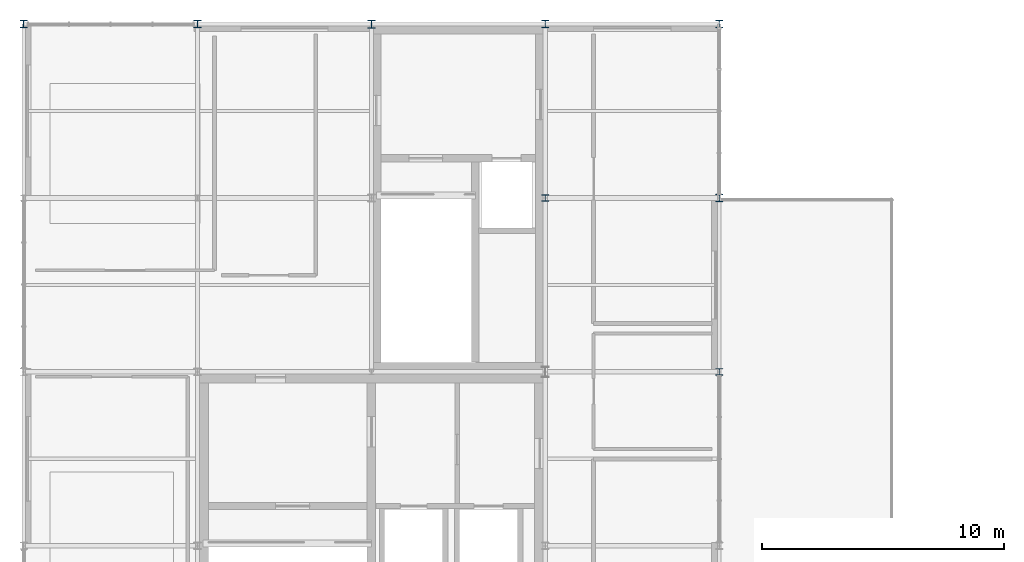
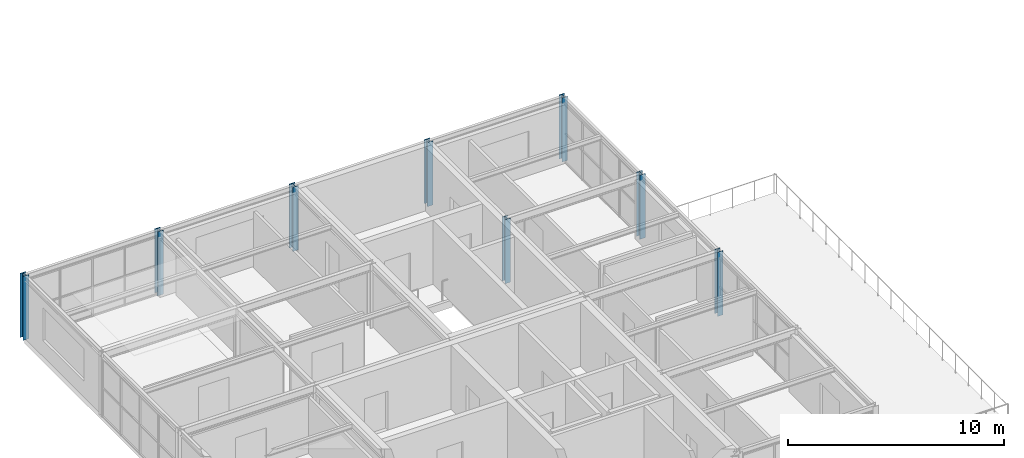
# One storey, part 3 of 12: 8 columns.
"""IFC4 building model written with IfcOpenShell, lengths in metres."""

import ifcopenshell
import ifcopenshell.guid

model = None  # the IFC model being written
_history = None  # IfcOwnerHistory: only IFC2X3 demands one
_inside = {}  # id of a spatial element -> (the spatial element, [elements in it])
_under = {}  # id of a project, library or spatial element -> (it, [spatial elements below it])
_declared = {}  # id of a project -> (the project, [libraries it declares])
_typed = {}  # id of a type object -> (the type object, [elements of that type])
_made_of = {}  # id of a material, layer set ... -> (it, [elements and type objects made of it])


def new_model(schema):
    """Start an empty IFC model of exactly this schema.

    Asked for "IFC4X3", IfcOpenShell would pick the latest addendum, in which some entities
    have other attributes; the version numbers below select the first issue.
    IFC2X3 requires an IfcOwnerHistory on every rooted entity: one is made here for all.
    """
    global model, _history
    if schema == "IFC4X3":
        model = ifcopenshell.file(schema_version=(4, 3, 0, 0))
    else:
        model = ifcopenshell.file(schema=schema)
    _inside.clear()
    _under.clear()
    _declared.clear()
    _typed.clear()
    _made_of.clear()
    _history = None
    if model.schema == "IFC2X3":
        org = make("IfcOrganization", Name="unknown")
        user = make(
            "IfcPersonAndOrganization",
            ThePerson=make("IfcPerson", FamilyName="unknown"),
            TheOrganization=org,
        )
        app = make(
            "IfcApplication",
            ApplicationDeveloper=org,
            Version="unknown",
            ApplicationFullName="unknown",
            ApplicationIdentifier="unknown",
        )
        _history = make(
            "IfcOwnerHistory",
            OwningUser=user,
            OwningApplication=app,
            ChangeAction="ADDED",
            CreationDate=0,
        )
    return model


def make(cls, **values):
    """One entity of the class cls with the attributes given. An attribute that is None is left unset."""
    return model.create_entity(
        cls, **{name: value for name, value in values.items() if value is not None}
    )


def rooted(cls, **values):
    """An entity with a GlobalId (a new one), such as an element, a storey or a relation."""
    return make(cls, GlobalId=ifcopenshell.guid.new(), OwnerHistory=_history, **values)


def si_unit(unit_type, name, prefix=None):
    """IfcSIUnit, for example si_unit("LENGTHUNIT", "METRE", prefix="MILLI")."""
    return make("IfcSIUnit", UnitType=unit_type, Prefix=prefix, Name=name)


def assignment(units):
    """IfcUnitAssignment: the units of a project."""
    return None if units is None else make("IfcUnitAssignment", Units=units)


def point(xyz):
    """IfcCartesianPoint."""
    return None if xyz is None else make("IfcCartesianPoint", Coordinates=xyz)


def direction(xyz):
    """IfcDirection."""
    return None if xyz is None else make("IfcDirection", DirectionRatios=xyz)


def frame(location, z_axis=None, x_axis=None):
    """IfcAxis2Placement3D, a coordinate frame: its origin and axes. An axis left out is left unset."""
    return make(
        "IfcAxis2Placement3D",
        Location=point(location),
        Axis=direction(z_axis),
        RefDirection=direction(x_axis),
    )


def frame_2d(location, x_axis=None):
    """IfcAxis2Placement2D, a coordinate frame in the plane: its origin and x axis."""
    return make(
        "IfcAxis2Placement2D", Location=point(location), RefDirection=direction(x_axis)
    )


def origin():
    """The frame at (0, 0, 0) with its axes left unset."""
    return frame((0.0, 0.0, 0.0))


def origin_2d():
    """The frame at (0, 0) in the plane with its x axis left unset."""
    return frame_2d((0.0, 0.0))


def place(relative_to, where):
    """IfcLocalPlacement: puts the frame where relative to a parent placement (None: the world)."""
    return make(
        "IfcLocalPlacement", PlacementRelTo=relative_to, RelativePlacement=where
    )


def context(
    kind, dimensions, precision=None, world=None, true_north=None, identifier=None
):
    """IfcGeometricRepresentationContext, for example the 3D "Model" context."""
    return make(
        "IfcGeometricRepresentationContext",
        ContextIdentifier=identifier,
        ContextType=kind,
        CoordinateSpaceDimension=dimensions,
        Precision=precision,
        WorldCoordinateSystem=world,
        TrueNorth=true_north,
    )


def subcontext(parent, identifier, kind, view, scale=None):
    """IfcGeometricRepresentationSubContext, for example "Body" below "Model"."""
    return make(
        "IfcGeometricRepresentationSubContext",
        ContextIdentifier=identifier,
        ContextType=kind,
        ParentContext=parent,
        TargetScale=scale,
        TargetView=view,
    )


def project(units=None, contexts=None):
    """IfcProject with its units and contexts."""
    return rooted(
        "IfcProject",
        Name="project",
        RepresentationContexts=contexts,
        UnitsInContext=assignment(units),
    )


def spatial(cls, under=None, at=None, **own):
    """A site, building, storey or space (cls), placed at a placement, below another one or the project."""
    s = rooted(cls, ObjectPlacement=at, **own)
    if under is not None:
        _under.setdefault(under.id(), (under, []))[1].append(s)
    return s


def profile(cls, at=None, kind="AREA", **sizes):
    """A parametric profile (cls). Its sizes go by their IFC names, for example OverallWidth=200.0."""
    return make(cls, ProfileType=kind, Position=at, **sizes)


def i_section(**sizes):
    """IfcIShapeProfileDef."""
    return profile("IfcIShapeProfileDef", **sizes)


def extrude(swept, where, along, depth):
    """IfcExtrudedAreaSolid: the profile swept, set in the frame where, extruded along a direction by depth."""
    return make(
        "IfcExtrudedAreaSolid",
        SweptArea=swept,
        Position=where,
        ExtrudedDirection=direction(along),
        Depth=depth,
    )


def shape(context_of_items, identifier, shape_type, items):
    """IfcShapeRepresentation: the items that make up one representation, for example the "Body"."""
    return make(
        "IfcShapeRepresentation",
        ContextOfItems=context_of_items,
        RepresentationIdentifier=identifier,
        RepresentationType=shape_type,
        Items=items,
    )


def material(Name=None, Category=None):
    """IfcMaterial."""
    return make("IfcMaterial", Name=Name, Category=Category)


def material_profile(
    of_material, cross_section, Name=None, Category=None, Priority=None
):
    """IfcMaterialProfile: a cross section and its material."""
    return make(
        "IfcMaterialProfile",
        Name=Name,
        Material=of_material,
        Profile=cross_section,
        Priority=Priority,
        Category=Category,
    )


def profile_set(profiles, Name=None, composite=None):
    """IfcMaterialProfileSet."""
    return make(
        "IfcMaterialProfileSet",
        Name=Name,
        MaterialProfiles=profiles,
        CompositeProfile=composite,
    )


def made_of(thing, what):
    """Note that an element or type object is made of a material, layer set ...; save() writes the relation."""
    if what is not None:
        _made_of.setdefault(what.id(), (what, []))[1].append(thing)
    return thing


def type_object(cls, material=None, **own):
    """A type object (cls), such as IfcWallType, which elements share."""
    return made_of(rooted(cls, **own), material)


def element(
    cls,
    number,
    at=None,
    inside=None,
    cuts=None,
    type_object=None,
    material=None,
    context=None,
    identifier="Body",
    shape_type=None,
    held_by="IfcProductDefinitionShape",
    body=None,
    shapes=None,
    **own,
):
    """One element of the class cls, such as IfcWall. Its Tag is "e" and its number.

    at: its placement. inside: the storey or other place that contains it. cuts: it is an
    opening in that element (IfcRelVoidsElement). A single representation is given by context,
    identifier, shape_type and body (its items); several are given by shapes. held_by: the class
    of the entity that holds the representations. save() writes the other relations.
    """
    e = rooted(cls, Tag="e%d" % number, ObjectPlacement=at, **own)
    if body is not None:
        shapes = [shape(context, identifier, shape_type, body)]
    if shapes is not None:
        e.Representation = make(held_by, Representations=shapes)
    if inside is not None:
        _inside.setdefault(inside.id(), (inside, []))[1].append(e)
    if cuts is not None:
        rooted(
            "IfcRelVoidsElement", RelatingBuildingElement=cuts, RelatedOpeningElement=e
        )
    if type_object is not None:
        _typed.setdefault(type_object.id(), (type_object, []))[1].append(e)
    return made_of(e, material)


def aggregate(whole, parts):
    """IfcRelAggregates: a whole, such as a stair, and the parts it consists of."""
    return rooted("IfcRelAggregates", RelatingObject=whole, RelatedObjects=parts)


def save(model, path):
    """Write the relations noted so far, then the file.

    IfcRelAggregates (storeys below a building ...), IfcRelContainedInSpatialStructure (elements
    in a storey), IfcRelDefinesByType, IfcRelAssociatesMaterial and IfcRelDeclares: one each for
    every whole, place, type object, material and project.
    """
    for whole, parts in _under.values():
        aggregate(whole, parts)
    for where, things in _inside.values():
        rooted(
            "IfcRelContainedInSpatialStructure",
            RelatedElements=things,
            RelatingStructure=where,
        )
    for kind, things in _typed.values():
        rooted("IfcRelDefinesByType", RelatedObjects=things, RelatingType=kind)
    for what, things in _made_of.values():
        rooted("IfcRelAssociatesMaterial", RelatedObjects=things, RelatingMaterial=what)
    for by, libraries in _declared.values():
        rooted("IfcRelDeclares", RelatingContext=by, RelatedDefinitions=libraries)
    model.write(path)


model = new_model("IFC4")

# Units and contexts
model_context = context("Model", 3, precision=1e-05, world=origin(), true_north=direction((0.0, 1.0)))
body_context = subcontext(model_context, "Body", "Model", "MODEL_VIEW")
ifc_project = project(units=[si_unit("LENGTHUNIT", "METRE"), si_unit("AREAUNIT", "SQUARE_METRE"), si_unit("VOLUMEUNIT", "CUBIC_METRE"), si_unit("PLANEANGLEUNIT", "RADIAN"), si_unit("MASSUNIT", "GRAM", prefix="KILO")], contexts=[model_context])

# Site, building, storey
site_placement = place(None, origin())
site = spatial("IfcSite", under=ifc_project, at=site_placement, CompositionType="ELEMENT")
building_placement = place(site_placement, origin())
building = spatial("IfcBuilding", under=site, at=building_placement, Name="Leyfeld Transit Interchange", CompositionType="ELEMENT")
storey_placement = place(building_placement, frame((0.0, 0.0, 21.60009765625)))
storey = spatial("IfcBuildingStorey", under=building, at=storey_placement, Name="L05", CompositionType="ELEMENT", Elevation=21.60009765625)

# Columns
ifc_material = material(Name="Steel S355J2", Category="steel")
ifc_material_profile_1 = material_profile(ifc_material, i_section(OverallWidth=0.280029296875, OverallDepth=0.280029296875, WebThickness=0.010498046875, FlangeThickness=0.01806640625, FilletRadius=0.02392578125, at=origin_2d()), Name="HEB 280")
ifc_profile_set_1 = profile_set([ifc_material_profile_1], Name="Steel S355J2")
column_type_1 = type_object("IfcColumnType", Name="COL-CAT-13", PredefinedType="COLUMN", material=ifc_profile_set_1)
for number, where, z_axis, x_axis, name in (
    (1, (21.60009765625, 115.199951171875, 0.0), (0.0, 0.0, 1.0), (1.0, 0.0, 0.0), "Column COL-L05-0216_1152"),
    (2, (28.800048828125, 108.0, 0.0), (0.0, 0.0, 1.0), (1.0, 0.0, 0.0), "Column COL-L05-0288_1080"),
):
    element("IfcColumn", number, at=place(storey_placement, frame(where, z_axis=z_axis, x_axis=x_axis)), inside=storey, type_object=column_type_1, Name=name, PredefinedType="COLUMN", context=body_context, shape_type="SweptSolid", body=[
        extrude(i_section(OverallWidth=0.280029296875, OverallDepth=0.280029296875, WebThickness=0.010498046875, FlangeThickness=0.01806640625, FilletRadius=0.02392578125, at=origin_2d()), origin(), (0.0, 0.0, 1.0), 3.619873046875),
    ])
ifc_material_profile_2 = material_profile(ifc_material, i_section(OverallWidth=0.300048828125, OverallDepth=0.340087890625, WebThickness=0.011962890625, FlangeThickness=0.021484375, FilletRadius=0.027099609375, at=origin_2d()), Name="HEB 340")
ifc_profile_set_2 = profile_set([ifc_material_profile_2], Name="Steel S355J2")
column_type_2 = type_object("IfcColumnType", Name="COL-CAT-15", PredefinedType="COLUMN", material=ifc_profile_set_2)
column_placement = place(storey_placement, frame((14.39990234375, 122.39990234375, 0.0), z_axis=(0.0, 0.0, 1.0), x_axis=(1.0, 0.0, 0.0)))
element("IfcColumn", 3, at=column_placement, inside=storey, type_object=column_type_2, Name="Column COL-L05-0144_1224", PredefinedType="COLUMN", context=body_context, shape_type="SweptSolid", body=[
    extrude(i_section(OverallWidth=0.300048828125, OverallDepth=0.340087890625, WebThickness=0.011962890625, FlangeThickness=0.021484375, FilletRadius=0.027099609375, at=origin_2d()), origin(), (0.0, 0.0, 1.0), 3.619873046875),
])
ifc_material_profile_3 = material_profile(ifc_material, i_section(OverallWidth=0.300048828125, OverallDepth=0.300048828125, WebThickness=0.010986328125, FlangeThickness=0.01904296875, FilletRadius=0.027099609375, at=origin_2d()), Name="HEB 300")
ifc_profile_set_3 = profile_set([ifc_material_profile_3], Name="Steel S355J2")
column_type_3 = type_object("IfcColumnType", Name="COL-STL-HEB300", PredefinedType="COLUMN", material=ifc_profile_set_3)
for number, where, z_axis, x_axis, name in (
    (4, (0.0, 122.39990234375, 0.0), (0.0, 0.0, 1.0), (1.0, 0.0, 0.0), "Column COL-L05-0000_1224"),
    (5, (7.199951171875, 122.39990234375, 0.0), (0.0, 0.0, 1.0), (1.0, 0.0, 0.0), "Column COL-L05-0072_1224"),
    (6, (21.60009765625, 122.39990234375, 0.0), (0.0, 0.0, 1.0), (1.0, 0.0, 0.0), "Column COL-L05-0216_1224"),
    (7, (28.800048828125, 115.199951171875, 0.0), (0.0, 0.0, 1.0), (1.0, 0.0, 0.0), "Column COL-L05-0288_1152"),
    (8, (28.800048828125, 122.39990234375, 0.0), (0.0, 0.0, 1.0), (1.0, 0.0, 0.0), "Column COL-L05-0288_1224"),
):
    element("IfcColumn", number, at=place(storey_placement, frame(where, z_axis=z_axis, x_axis=x_axis)), inside=storey, type_object=column_type_3, Name=name, PredefinedType="COLUMN", context=body_context, shape_type="SweptSolid", body=[
        extrude(i_section(OverallWidth=0.300048828125, OverallDepth=0.300048828125, WebThickness=0.010986328125, FlangeThickness=0.01904296875, FilletRadius=0.027099609375, at=origin_2d()), origin(), (0.0, 0.0, 1.0), 3.619873046875),
    ])

save(model, "model.ifc")
